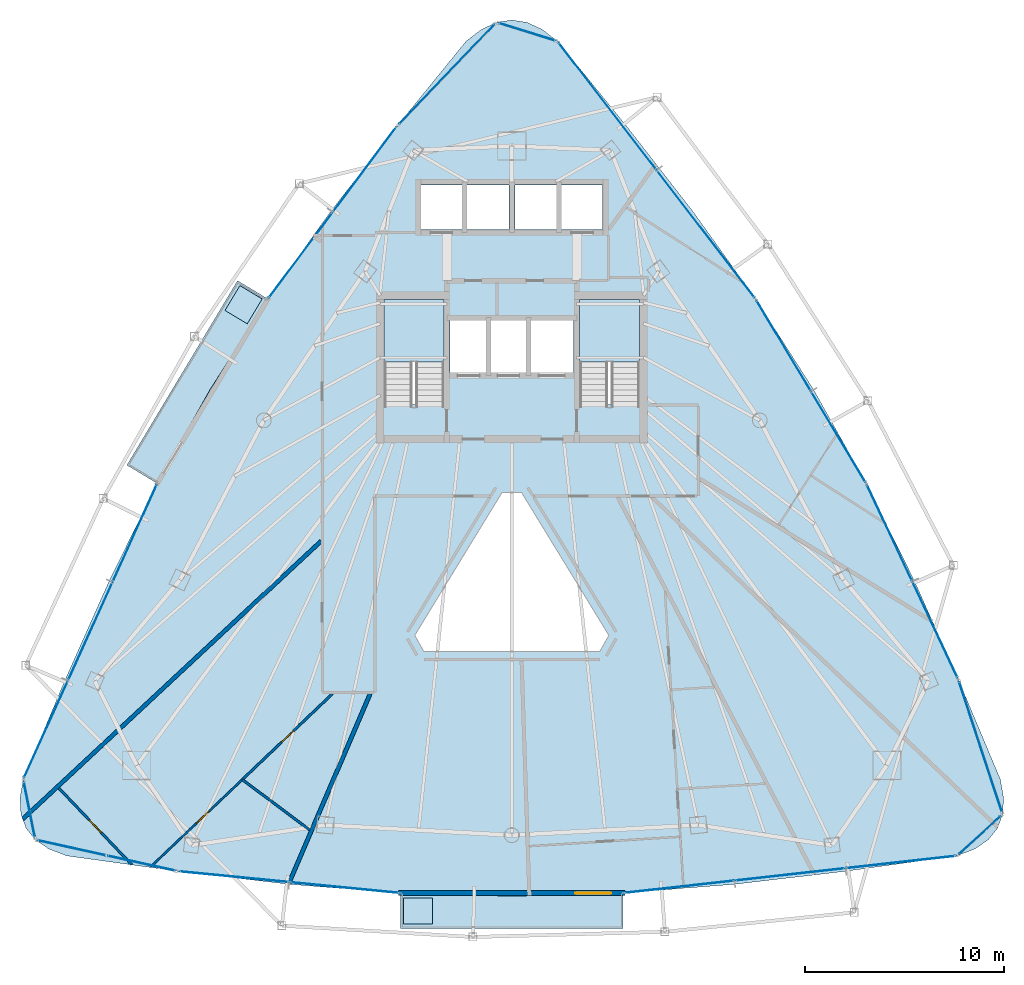
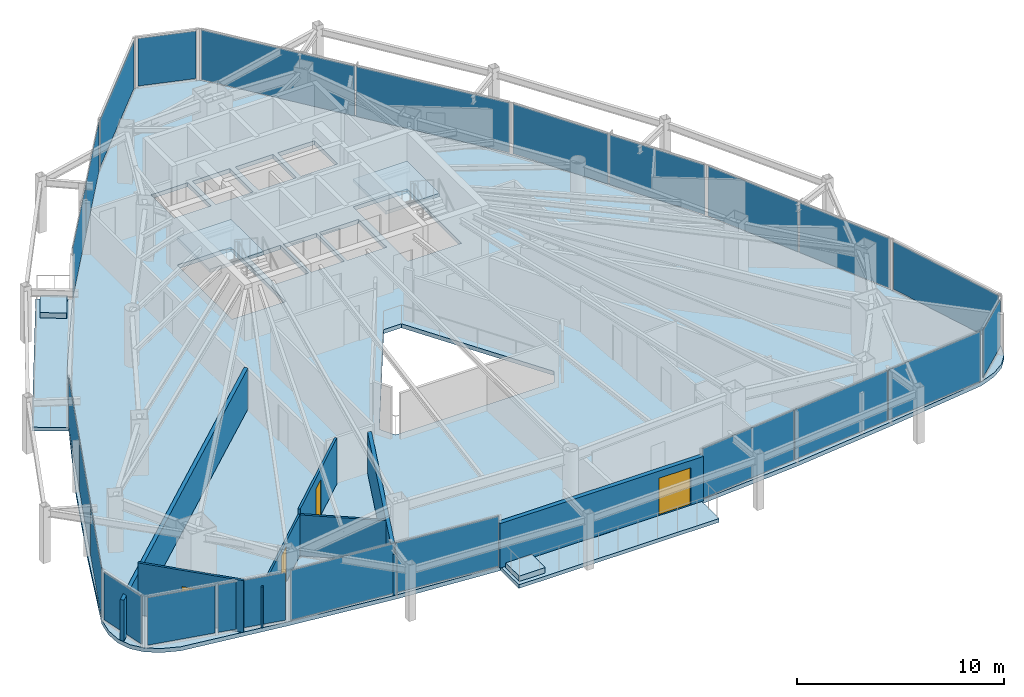
# One storey, part 23 of 29: 23 plates, 7 slabs, 7 walls, 4 doors, 4 openings, 15 elements without a shape of their own.
"""IFC4 building model written with IfcOpenShell, lengths in metres."""

from ifc_helpers import new_model, si_unit, direction, frame, frame_2d, origin, origin_2d, place, context, subcontext, project, spatial, polyline, rectangle, outline, extrude, material, layer, layer_set, type_object, element, fill, aggregate, save


model = new_model("IFC4")

# Units and contexts
model_context = context("Model", 3, precision=1e-05, world=origin(), true_north=direction((0.0, 1.0)))
body_context = subcontext(model_context, "Body", "Model", "MODEL_VIEW")
ifc_project = project(units=[si_unit("LENGTHUNIT", "METRE"), si_unit("AREAUNIT", "SQUARE_METRE"), si_unit("VOLUMEUNIT", "CUBIC_METRE"), si_unit("PLANEANGLEUNIT", "RADIAN"), si_unit("MASSUNIT", "GRAM", prefix="KILO")], contexts=[model_context])

# Site, building, storey
site_placement = place(None, origin())
site = spatial("IfcSite", under=ifc_project, at=site_placement, CompositionType="ELEMENT")
building_placement = place(site_placement, origin())
building = spatial("IfcBuilding", under=site, at=building_placement, Name="Orvanel Arch Residences", CompositionType="ELEMENT")
storey_placement = place(building_placement, frame((0.0, 0.0, 173.75)))
storey = spatial("IfcBuildingStorey", under=building, at=storey_placement, Name="L49", CompositionType="ELEMENT", Elevation=173.75)

# Curtain wall, plates
ifc_material_1 = material(Name="Bronze-anodised aluminium AA6063-T6", Category="aluminium")
ifc_layer_1 = layer(ifc_material_1, 0.179931640625)
ifc_layer_set_1 = layer_set([ifc_layer_1], Name="Bronze-anodised aluminium AA6063-T6")
curtain_wall_type_1 = type_object("IfcCurtainWallType", Name="CW3-MID-SYS", PredefinedType="NOTDEFINED", material=ifc_layer_set_1)
curtain_wall_1_placement = place(storey_placement, origin())
curtain_wall_1 = element("IfcCurtainWall", 1, at=curtain_wall_1_placement, inside=storey, type_object=curtain_wall_type_1, Name="L49 CW3-MID-SYS Unitised Curtain Wall", PredefinedType="NOTDEFINED")
ifc_material_2 = material(Name="Double-glazed solar-control low-E safety glass", Category="glass")
ifc_layer_2 = layer(ifc_material_2, 0.028076171875)
ifc_layer_set_2 = layer_set([ifc_layer_2], Name="Double-glazed solar-control low-E safety glass")
plate_type_1 = type_object("IfcPlateType", Name="PNL-GLZ-28", PredefinedType="CURTAIN_PANEL", material=ifc_layer_set_2)
plate_1_placement = place(storey_placement, frame((25.62255859375, 40.218017578125, 0.06005859375), z_axis=(0.0, 0.0, 1.0), x_axis=(-0.598279718492, -0.801287325771, 0.0)))
plate_1 = element("IfcPlate", 2, at=plate_1_placement, type_object=plate_type_1, Name="CW-S3 panel 1.1", PredefinedType="CURTAIN_PANEL", context=body_context, shape_type="SweptSolid", body=[
    extrude(rectangle(XDim=5.293701171875, YDim=0.028076171875, at=origin_2d()), origin(), (0.0, 0.0, 1.0), 2.93994140625),
])
plate_2_placement = place(storey_placement, frame((22.41357421875, 35.919921875, 0.06005859375), z_axis=(0.0, 0.0, 1.0), x_axis=(-0.598279718492, -0.801287325771, 0.0)))
plate_2 = element("IfcPlate", 3, at=plate_2_placement, type_object=plate_type_1, Name="CW-S3 panel 2.1", PredefinedType="CURTAIN_PANEL", context=body_context, shape_type="SweptSolid", body=[
    extrude(rectangle(XDim=5.293701171875, YDim=0.028076171875, at=origin_2d()), origin(), (0.0, 0.0, 1.0), 2.93994140625),
])
aggregate(curtain_wall_1, [plate_1, plate_2])

curtain_wall_2_placement = place(storey_placement, origin())
curtain_wall_2 = element("IfcCurtainWall", 4, at=curtain_wall_2_placement, inside=storey, type_object=curtain_wall_type_1, Name="L49 CW3-MID-SYS Unitised Curtain Wall", PredefinedType="NOTDEFINED")
plate_3_placement = place(storey_placement, frame((14.09765625, 21.9814453125, 0.06005859375), z_axis=(0.0, 0.0, 1.0), x_axis=(-0.412726386119, -0.910855054441, 0.0)))
plate_3 = element("IfcPlate", 5, at=plate_3_placement, type_object=plate_type_1, Name="CW-S3 panel 1.1", PredefinedType="CURTAIN_PANEL", context=body_context, shape_type="SweptSolid", body=[
    extrude(rectangle(XDim=5.30859375, YDim=0.028076171875, at=origin_2d()), origin(), (0.0, 0.0, 1.0), 2.93994140625),
])
plate_4_placement = place(storey_placement, frame((11.87060546875, 17.06640625, 0.06005859375), z_axis=(0.0, 0.0, 1.0), x_axis=(-0.412726386119, -0.910855054441, 0.0)))
plate_4 = element("IfcPlate", 6, at=plate_4_placement, type_object=plate_type_1, Name="CW-S3 panel 2.1", PredefinedType="CURTAIN_PANEL", context=body_context, shape_type="SweptSolid", body=[
    extrude(rectangle(XDim=5.343505859375, YDim=0.028076171875, at=origin_2d()), origin(), (0.0, 0.0, 1.0), 2.93994140625),
])
plate_5_placement = place(storey_placement, frame((9.643310546875, 12.1513671875, 0.06005859375), z_axis=(0.0, 0.0, 1.0), x_axis=(-0.412726386119, -0.910855054441, 0.0)))
plate_5 = element("IfcPlate", 7, at=plate_5_placement, type_object=plate_type_1, Name="CW-S3 panel 3.1", PredefinedType="CURTAIN_PANEL", context=body_context, shape_type="SweptSolid", body=[
    extrude(rectangle(XDim=5.30859375, YDim=0.028076171875, at=origin_2d()), origin(), (0.0, 0.0, 1.0), 2.93994140625),
])
aggregate(curtain_wall_2, [plate_3, plate_4, plate_5])

curtain_wall_3_placement = place(storey_placement, origin())
curtain_wall_3 = element("IfcCurtainWall", 8, at=curtain_wall_3_placement, inside=storey, type_object=curtain_wall_type_1, Name="L49 CW3-MID-SYS Unitised Curtain Wall", PredefinedType="NOTDEFINED")
plate_6_placement = place(storey_placement, frame((19.081787109375, 4.761962890625, 0.06005859375), z_axis=(0.0, 0.0, 1.0), x_axis=(0.995236362912, -0.097491445455, 0.0)))
plate_6 = element("IfcPlate", 9, at=plate_6_placement, type_object=plate_type_1, Name="CW-S3 panel 1.1", PredefinedType="CURTAIN_PANEL", context=body_context, shape_type="SweptSolid", body=[
    extrude(rectangle(XDim=5.480224609375, YDim=0.028076171875, at=origin_2d()), origin(), (0.0, 0.0, 1.0), 2.93994140625),
])
plate_7_placement = place(storey_placement, frame((24.605224609375, 4.220947265625, 0.06005859375), z_axis=(0.0, 0.0, 1.0), x_axis=(0.995236362912, -0.097491445455, 0.0)))
plate_7 = element("IfcPlate", 10, at=plate_7_placement, type_object=plate_type_1, Name="CW-S3 panel 2.1", PredefinedType="CURTAIN_PANEL", context=body_context, shape_type="SweptSolid", body=[
    extrude(rectangle(XDim=5.480224609375, YDim=0.028076171875, at=origin_2d()), origin(), (0.0, 0.0, 1.0), 2.93994140625),
])
aggregate(curtain_wall_3, [plate_6, plate_7])

curtain_wall_4_placement = place(storey_placement, origin())
curtain_wall_4 = element("IfcCurtainWall", 11, at=curtain_wall_4_placement, inside=storey, type_object=curtain_wall_type_1, Name="L49 CW3-MID-SYS Unitised Curtain Wall", PredefinedType="NOTDEFINED")
plate_8_placement = place(storey_placement, frame((41.39794921875, 4.25927734375, 0.06005859375), z_axis=(0.0, 0.0, 1.0), x_axis=(0.993838645003, 0.110836581045, 0.0)))
plate_8 = element("IfcPlate", 12, at=plate_8_placement, type_object=plate_type_1, Name="CW-S3 panel 1.1", PredefinedType="CURTAIN_PANEL", context=body_context, shape_type="SweptSolid", body=[
    extrude(rectangle(XDim=5.494873046875, YDim=0.028076171875, at=origin_2d()), origin(), (0.0, 0.0, 1.0), 2.93994140625),
])
plate_9_placement = place(storey_placement, frame((46.946044921875, 4.8779296875, 0.06005859375), z_axis=(0.0, 0.0, 1.0), x_axis=(0.993838645003, 0.110836581045, 0.0)))
plate_9 = element("IfcPlate", 13, at=plate_9_placement, type_object=plate_type_1, Name="CW-S3 panel 2.1", PredefinedType="CURTAIN_PANEL", context=body_context, shape_type="SweptSolid", body=[
    extrude(rectangle(XDim=5.52978515625, YDim=0.028076171875, at=origin_2d()), origin(), (0.0, 0.0, 1.0), 2.93994140625),
])
plate_10_placement = place(storey_placement, frame((52.493896484375, 5.496826171875, 0.06005859375), z_axis=(0.0, 0.0, 1.0), x_axis=(0.993838645003, 0.110836581045, 0.0)))
plate_10 = element("IfcPlate", 14, at=plate_10_placement, type_object=plate_type_1, Name="CW-S3 panel 3.1", PredefinedType="CURTAIN_PANEL", context=body_context, shape_type="SweptSolid", body=[
    extrude(rectangle(XDim=5.494873046875, YDim=0.028076171875, at=origin_2d()), origin(), (0.0, 0.0, 1.0), 2.93994140625),
])
aggregate(curtain_wall_4, [plate_8, plate_9, plate_10])

curtain_wall_5_placement = place(storey_placement, origin())
curtain_wall_5 = element("IfcCurtainWall", 15, at=curtain_wall_5_placement, inside=storey, type_object=curtain_wall_type_1, Name="L49 CW3-MID-SYS Unitised Curtain Wall", PredefinedType="NOTDEFINED")
plate_11_placement = place(storey_placement, frame((54.21484375, 17.14990234375, 0.06005859375), z_axis=(0.0, 0.0, 1.0), x_axis=(-0.425221547533, 0.905089296983, 0.0)))
plate_11 = element("IfcPlate", 16, at=plate_11_placement, type_object=plate_type_1, Name="CW-S3 panel 1.1", PredefinedType="CURTAIN_PANEL", context=body_context, shape_type="SweptSolid", body=[
    extrude(rectangle(XDim=5.29345703125, YDim=0.028076171875, at=origin_2d()), origin(), (0.0, 0.0, 1.0), 2.93994140625),
])
plate_12_placement = place(storey_placement, frame((51.93408203125, 22.004150390625, 0.06005859375), z_axis=(0.0, 0.0, 1.0), x_axis=(-0.425221547533, 0.905089296983, 0.0)))
plate_12 = element("IfcPlate", 17, at=plate_12_placement, type_object=plate_type_1, Name="CW-S3 panel 2.1", PredefinedType="CURTAIN_PANEL", context=body_context, shape_type="SweptSolid", body=[
    extrude(rectangle(XDim=5.29345703125, YDim=0.028076171875, at=origin_2d()), origin(), (0.0, 0.0, 1.0), 2.93994140625),
])
aggregate(curtain_wall_5, [plate_11, plate_12])

curtain_wall_6_placement = place(storey_placement, origin())
curtain_wall_6 = element("IfcCurtainWall", 18, at=curtain_wall_6_placement, inside=storey, type_object=curtain_wall_type_1, Name="L49 CW3-MID-SYS Unitised Curtain Wall", PredefinedType="NOTDEFINED")
plate_13_placement = place(storey_placement, frame((49.369384765625, 26.81591796875, 0.06005859375), z_axis=(0.0, 0.0, 1.0), x_axis=(-0.514413615102, 0.857542204558, 0.0)))
plate_13 = element("IfcPlate", 19, at=plate_13_placement, type_object=plate_type_1, Name="CW-S3 panel 1.1", PredefinedType="CURTAIN_PANEL", context=body_context, shape_type="SweptSolid", body=[
    extrude(rectangle(XDim=5.26611328125, YDim=0.028076171875, at=origin_2d()), origin(), (0.0, 0.0, 1.0), 2.93994140625),
])
plate_14_placement = place(storey_placement, frame((46.62451171875, 31.39208984375, 0.06005859375), z_axis=(0.0, 0.0, 1.0), x_axis=(-0.514413615102, 0.857542204558, 0.0)))
plate_14 = element("IfcPlate", 20, at=plate_14_placement, type_object=plate_type_1, Name="CW-S3 panel 2.1", PredefinedType="CURTAIN_PANEL", context=body_context, shape_type="SweptSolid", body=[
    extrude(rectangle(XDim=5.26611328125, YDim=0.028076171875, at=origin_2d()), origin(), (0.0, 0.0, 1.0), 2.93994140625),
])
aggregate(curtain_wall_6, [plate_13, plate_14])

curtain_wall_7_placement = place(storey_placement, origin())
curtain_wall_7 = element("IfcCurtainWall", 21, at=curtain_wall_7_placement, inside=storey, type_object=curtain_wall_type_1, Name="L49 CW3-MID-SYS Unitised Curtain Wall", PredefinedType="NOTDEFINED")
plate_15_placement = place(storey_placement, frame((42.727294921875, 36.976318359375, 0.06005859375), z_axis=(0.0, 0.0, 1.0), x_axis=(-0.60931790608, 0.792926030176, 0.0)))
plate_15 = element("IfcPlate", 22, at=plate_15_placement, type_object=plate_type_1, Name="CW-S3 panel 1.1", PredefinedType="CURTAIN_PANEL", context=body_context, shape_type="SweptSolid", body=[
    extrude(rectangle(XDim=8.015625, YDim=0.028076171875, at=origin_2d()), origin(), (0.0, 0.0, 1.0), 2.93994140625),
])
plate_16_placement = place(storey_placement, frame((37.80078125, 43.3876953125, 0.06005859375), z_axis=(0.0, 0.0, 1.0), x_axis=(-0.60931790608, 0.792926030176, 0.0)))
plate_16 = element("IfcPlate", 23, at=plate_16_placement, type_object=plate_type_1, Name="CW-S3 panel 2.1", PredefinedType="CURTAIN_PANEL", context=body_context, shape_type="SweptSolid", body=[
    extrude(rectangle(XDim=8.015625, YDim=0.028076171875, at=origin_2d()), origin(), (0.0, 0.0, 1.0), 2.93994140625),
])
aggregate(curtain_wall_7, [plate_15, plate_16])

# Curtain wall, plate
ifc_layer_3 = layer(ifc_material_1, 0.18994140625)
ifc_layer_set_3 = layer_set([ifc_layer_3], Name="Bronze-anodised aluminium AA6063-T6")
curtain_wall_type_2 = type_object("IfcCurtainWallType", Name="CW5-CRN-SYS", PredefinedType="NOTDEFINED", material=ifc_layer_set_3)
curtain_wall_8_placement = place(storey_placement, origin())
curtain_wall_8 = element("IfcCurtainWall", 24, at=curtain_wall_8_placement, inside=storey, type_object=curtain_wall_type_2, Name="L49 CW5-CRN-SYS Unitised Curtain Wall", PredefinedType="NOTDEFINED")
ifc_layer_4 = layer(ifc_material_2, 0.031982421875)
ifc_layer_set_4 = layer_set([ifc_layer_4], Name="Double-glazed solar-control low-E safety glass")
plate_type_2 = type_object("IfcPlateType", Name="PNL-GLZ-32", PredefinedType="CURTAIN_PANEL", material=ifc_layer_set_4)
plate_17_placement = place(storey_placement, frame((33.76806640625, 47.114990234375, 0.1298828125), z_axis=(0.0, 0.0, 1.0), x_axis=(-0.954848840778, 0.29709205857, 0.0)))
plate_17 = element("IfcPlate", 25, at=plate_17_placement, type_object=plate_type_2, Name="CW-S5 panel 1.1", PredefinedType="CURTAIN_PANEL", context=body_context, shape_type="SweptSolid", body=[
    extrude(rectangle(XDim=2.87744140625, YDim=0.031982421875, at=origin_2d()), origin(), (0.0, 0.0, 1.0), 2.800048828125),
])
aggregate(curtain_wall_8, [plate_17])

curtain_wall_9_placement = place(storey_placement, origin())
curtain_wall_9 = element("IfcCurtainWall", 26, at=curtain_wall_9_placement, inside=storey, type_object=curtain_wall_type_2, Name="L49 CW5-CRN-SYS Unitised Curtain Wall", PredefinedType="NOTDEFINED")
plate_18_placement = place(storey_placement, frame((29.74609375, 45.001953125, 0.1298828125), z_axis=(0.0, 0.0, 1.0), x_axis=(-0.692251972055, -0.721655878647, 0.0)))
plate_18 = element("IfcPlate", 27, at=plate_18_placement, type_object=plate_type_2, Name="CW-S5 panel 1.1", PredefinedType="CURTAIN_PANEL", context=body_context, shape_type="SweptSolid", body=[
    extrude(rectangle(XDim=6.841796875, YDim=0.031982421875, at=origin_2d()), origin(), (0.0, 0.0, 1.0), 2.800048828125),
])
aggregate(curtain_wall_9, [plate_18])

curtain_wall_10_placement = place(storey_placement, origin())
curtain_wall_10 = element("IfcCurtainWall", 28, at=curtain_wall_10_placement, inside=storey, type_object=curtain_wall_type_2, Name="L49 CW5-CRN-SYS Unitised Curtain Wall", PredefinedType="NOTDEFINED")
plate_19_placement = place(storey_placement, frame((8.81396484375, 8.132568359375, 0.1298828125), z_axis=(0.0, 0.0, 1.0), x_axis=(0.19555012898, -0.980693707054, 0.0)))
plate_19 = element("IfcPlate", 29, at=plate_19_placement, type_object=plate_type_2, Name="CW-S5 panel 1.1", PredefinedType="CURTAIN_PANEL", context=body_context, shape_type="SweptSolid", body=[
    extrude(rectangle(XDim=2.758056640625, YDim=0.031982421875, at=origin_2d()), origin(), (0.0, 0.0, 1.0), 2.800048828125),
])
aggregate(curtain_wall_10, [plate_19])

# Curtain wall, plates
curtain_wall_11_placement = place(storey_placement, origin())
curtain_wall_11 = element("IfcCurtainWall", 30, at=curtain_wall_11_placement, inside=storey, type_object=curtain_wall_type_2, Name="L49 CW5-CRN-SYS Unitised Curtain Wall", PredefinedType="NOTDEFINED")
plate_20_placement = place(storey_placement, frame((10.95068359375, 6.209228515625, 0.1298828125), z_axis=(0.0, 0.0, 1.0), x_axis=(0.97655096553, -0.2152863482, 0.0)))
plate_20 = element("IfcPlate", 31, at=plate_20_placement, type_object=plate_type_2, Name="CW-S5 panel 1.1", PredefinedType="CURTAIN_PANEL", context=body_context, shape_type="SweptSolid", body=[
    extrude(rectangle(XDim=3.414306640625, YDim=0.031982421875, at=origin_2d()), origin(), (0.0, 0.0, 1.0), 2.800048828125),
])
plate_21_placement = place(storey_placement, frame((14.431396484375, 5.44189453125, 0.1298828125), z_axis=(0.0, 0.0, 1.0), x_axis=(0.97655096553, -0.2152863482, 0.0)))
plate_21 = element("IfcPlate", 32, at=plate_21_placement, type_object=plate_type_2, Name="CW-S5 panel 2.1", PredefinedType="CURTAIN_PANEL", context=body_context, shape_type="SweptSolid", body=[
    extrude(rectangle(XDim=3.414306640625, YDim=0.031982421875, at=origin_2d()), origin(), (0.0, 0.0, 1.0), 2.800048828125),
])
aggregate(curtain_wall_11, [plate_20, plate_21])

# Curtain wall, plate
curtain_wall_12_placement = place(storey_placement, origin())
curtain_wall_12 = element("IfcCurtainWall", 33, at=curtain_wall_12_placement, inside=storey, type_object=curtain_wall_type_2, Name="L49 CW5-CRN-SYS Unitised Curtain Wall", PredefinedType="NOTDEFINED")
plate_22_placement = place(storey_placement, frame((56.4609375, 6.8525390625, 0.1298828125), z_axis=(0.0, 0.0, 1.0), x_axis=(0.740132345266, 0.672461234192, 0.0)))
plate_22 = element("IfcPlate", 34, at=plate_22_placement, type_object=plate_type_2, Name="CW-S5 panel 1.1", PredefinedType="CURTAIN_PANEL", context=body_context, shape_type="SweptSolid", body=[
    extrude(rectangle(XDim=2.759033203125, YDim=0.031982421875, at=origin_2d()), origin(), (0.0, 0.0, 1.0), 2.800048828125),
])
aggregate(curtain_wall_12, [plate_22])

curtain_wall_13_placement = place(storey_placement, origin())
curtain_wall_13 = element("IfcCurtainWall", 35, at=curtain_wall_13_placement, inside=storey, type_object=curtain_wall_type_2, Name="L49 CW5-CRN-SYS Unitised Curtain Wall", PredefinedType="NOTDEFINED")
plate_23_placement = place(storey_placement, frame((56.493408203125, 11.283447265625, 0.1298828125), z_axis=(0.0, 0.0, 1.0), x_axis=(-0.312420373744, 0.949943951015, 0.0)))
plate_23 = element("IfcPlate", 36, at=plate_23_placement, type_object=plate_type_2, Name="CW-S5 panel 1.1", PredefinedType="CURTAIN_PANEL", context=body_context, shape_type="SweptSolid", body=[
    extrude(rectangle(XDim=6.796142578125, YDim=0.031982421875, at=origin_2d()), origin(), (0.0, 0.0, 1.0), 2.800048828125),
])
aggregate(curtain_wall_13, [plate_23])

# Slabs
ifc_material_3 = material(Name="Concrete N40 (40 MPa)", Category="concrete")
ifc_layer_5 = layer(ifc_material_3, 0.215087890625)
ifc_layer_set_5 = layer_set([ifc_layer_5], Name="Concrete N40 (40 MPa)")
slab_type_1 = type_object("IfcSlabType", Name="SLB-BAL-215", PredefinedType="FLOOR", material=ifc_layer_set_5)
slab_1_placement = place(storey_placement, frame((0.0, 0.0, -0.215087890625)))
element("IfcSlab", 37, at=slab_1_placement, inside=storey, type_object=slab_type_1, Name="L49 Cantilevered Balcony Slab Face 1", PredefinedType="FLOOR", context=body_context, shape_type="SweptSolid", body=[
    extrude(outline(polyline([(19.25, 34.64306640625), (13.7041015625, 25.39697265625), (15.22998046875, 24.48095703125), (17.87109375, 29.18310546875), (20.77587890625, 33.72705078125), (19.25, 34.64306640625)])), origin(), (0.0, 0.0, 1.0), 0.215087890625),
])
slab_2_placement = place(storey_placement, frame((0.0, 0.0, -0.215087890625)))
element("IfcSlab", 38, at=slab_2_placement, inside=storey, type_object=slab_type_1, Name="L49 Cantilevered Balcony Slab Face 2", PredefinedType="FLOOR", context=body_context, shape_type="SweptSolid", body=[
    extrude(outline(polyline([(27.422119140625, 2.1650390625), (38.577880859375, 2.1650390625), (38.577880859375, 3.945068359375), (33.0, 3.791015625), (27.422119140625, 3.945068359375), (27.422119140625, 2.1650390625)])), origin(), (0.0, 0.0, 1.0), 0.215087890625),
])

# Stair, slab
ifc_material_4 = material(Name="Precast concrete N50 (50 MPa)", Category="concrete")
stair_type = type_object("IfcStairType", Name="STR-DOG-184", PredefinedType="USERDEFINED", material=ifc_material_4)
stair_1_placement = place(storey_placement, origin())
stair_1 = element("IfcStair", 39, at=stair_1_placement, inside=storey, type_object=stair_type, Name="L49 Fire-Isolated Core Exit Stair 1", ObjectType="TWO_RETURN_STAIR", PredefinedType="USERDEFINED")
ifc_layer_6 = layer(ifc_material_3, 0.199951171875)
ifc_layer_set_6 = layer_set([ifc_layer_6], Name="Concrete N40 (40 MPa)")
slab_type_2 = type_object("IfcSlabType", Name="SLB-LND-200", PredefinedType="LANDING", material=ifc_layer_set_6)
slab_3_placement = place(storey_placement, frame((0.0, 0.0, 1.449951171875)))
slab_3 = element("IfcSlab", 40, at=slab_3_placement, type_object=slab_type_2, Name="ST-1 landing 1", PredefinedType="LANDING", context=body_context, shape_type="SweptSolid", body=[
    extrude(outline(polyline([(29.60009765625, 30.56005859375), (29.60009765625, 33.699951171875), (26.60009765625, 33.699951171875), (26.60009765625, 30.56005859375), (29.60009765625, 30.56005859375)])), origin(), (0.0, 0.0, 1.0), 0.199951171875),
])
aggregate(stair_1, [slab_3])

stair_2_placement = place(storey_placement, origin())
stair_2 = element("IfcStair", 41, at=stair_2_placement, inside=storey, type_object=stair_type, Name="L49 Fire-Isolated Core Exit Stair 2", ObjectType="TWO_RETURN_STAIR", PredefinedType="USERDEFINED")
slab_4_placement = place(storey_placement, frame((0.0, 0.0, 1.449951171875)))
slab_4 = element("IfcSlab", 42, at=slab_4_placement, type_object=slab_type_2, Name="ST-2 landing 1", PredefinedType="LANDING", context=body_context, shape_type="SweptSolid", body=[
    extrude(outline(polyline([(39.39990234375, 30.56005859375), (39.39990234375, 33.699951171875), (36.39990234375, 33.699951171875), (36.39990234375, 30.56005859375), (39.39990234375, 30.56005859375)])), origin(), (0.0, 0.0, 1.0), 0.199951171875),
])
aggregate(stair_2, [slab_4])

# Slabs
ifc_material_5 = material(Name="Structural architectural precast concrete N40 (40 MPa) planter", Category="concrete")
ifc_layer_7 = layer(ifc_material_5, 0.320068359375)
ifc_layer_set_7 = layer_set([ifc_layer_7], Name="Structural architectural precast concrete N40 (40 MPa) planter")
slab_type_3 = type_object("IfcSlabType", Name="SLB-PLN-320", PredefinedType="USERDEFINED", material=ifc_layer_set_7)
slab_5_placement = place(storey_placement, origin())
element("IfcSlab", 43, at=slab_5_placement, inside=storey, type_object=slab_type_3, Name="L49 Balcony TREE PLANTER Face 1", ObjectType="PLANTER", PredefinedType="USERDEFINED", context=body_context, shape_type="SweptSolid", body=[
    extrude(outline(polyline([(19.3701171875, 34.39599609375), (18.6240234375, 33.153076171875), (19.739013671875, 32.48388671875), (20.485107421875, 33.72705078125), (19.3701171875, 34.39599609375)])), origin(), (0.0, 0.0, 1.0), 0.320068359375),
])
slab_6_placement = place(storey_placement, origin())
element("IfcSlab", 44, at=slab_6_placement, inside=storey, type_object=slab_type_3, Name="L49 Balcony TREE PLANTER Face 2", ObjectType="PLANTER", PredefinedType="USERDEFINED", context=body_context, shape_type="SweptSolid", body=[
    extrude(outline(polyline([(27.572021484375, 2.39501953125), (29.02197265625, 2.39501953125), (29.02197265625, 3.695068359375), (27.572021484375, 3.695068359375), (27.572021484375, 2.39501953125)])), origin(), (0.0, 0.0, 1.0), 0.320068359375),
])
ifc_layer_8 = layer(ifc_material_3, 0.239990234375)
ifc_layer_set_8 = layer_set([ifc_layer_8], Name="Concrete N40 (40 MPa)")
slab_type_4 = type_object("IfcSlabType", Name="SLB-TYP-240", PredefinedType="FLOOR", material=ifc_layer_set_8)
slab_7_placement = place(storey_placement, frame((0.0, 0.0, -0.239990234375)))
element("IfcSlab", 45, at=slab_7_placement, inside=storey, type_object=slab_type_4, Name="L49 Tower Floor Slab", PredefinedType="FLOOR", context=body_context, shape_type="SweptSolid", body=[
    extrude(outline(polyline([(35.303955078125, 46.636962890625), (34.535888671875, 47.23388671875), (33.76806640625, 47.593017578125), (33.0, 47.7119140625), (32.23193359375, 47.593017578125), (31.464111328125, 47.23388671875), (30.696044921875, 46.636962890625), (27.260009765625, 42.410888671875), (23.925048828125, 38.125), (20.77587890625, 33.72705078125), (17.87109375, 29.18310546875), (15.22998046875, 24.48095703125), (12.83203125, 19.633056640625), (10.62109375, 14.673095703125), (8.510986328125, 9.652099609375), (8.345947265625, 8.712890625), (8.39208984375, 7.89404296875), (8.64892578125, 7.194091796875), (9.116943359375, 6.613037109375), (9.7958984375, 6.152099609375), (10.68603515625, 5.81103515625), (16.264892578125, 5.0380859375), (21.843017578125, 4.383056640625), (27.422119140625, 3.945068359375), (33.0, 3.791015625), (38.577880859375, 3.945068359375), (44.156982421875, 4.383056640625), (49.735107421875, 5.0380859375), (55.31396484375, 5.81103515625), (56.2041015625, 6.152099609375), (56.883056640625, 6.613037109375), (57.35107421875, 7.194091796875), (57.60791015625, 7.89404296875), (57.654052734375, 8.712890625), (57.489013671875, 9.652099609375), (55.37890625, 14.673095703125), (53.16796875, 19.633056640625), (50.77001953125, 24.48095703125), (48.12890625, 29.18310546875), (45.22412109375, 33.72705078125), (42.074951171875, 38.125), (38.739990234375, 42.410888671875), (35.303955078125, 46.636962890625)]), holes=[polyline([(26.60009765625, 28.429931640625), (26.60009765625, 33.699951171875), (29.60009765625, 33.699951171875), (29.60009765625, 28.429931640625), (26.60009765625, 28.429931640625)]), polyline([(36.39990234375, 28.429931640625), (36.39990234375, 33.699951171875), (39.39990234375, 33.699951171875), (39.39990234375, 28.429931640625), (36.39990234375, 28.429931640625)]), polyline([(29.89990234375, 32.64990234375), (31.75, 32.64990234375), (31.75, 29.949951171875), (29.89990234375, 29.949951171875), (29.89990234375, 32.64990234375)]), polyline([(31.89990234375, 32.64990234375), (33.75, 32.64990234375), (33.75, 29.949951171875), (31.89990234375, 29.949951171875), (31.89990234375, 32.64990234375)]), polyline([(33.89990234375, 32.64990234375), (36.10009765625, 32.64990234375), (36.10009765625, 29.949951171875), (33.89990234375, 29.949951171875), (33.89990234375, 32.64990234375)]), polyline([(28.449951171875, 39.449951171875), (30.5, 39.449951171875), (30.5, 37.199951171875), (28.449951171875, 37.199951171875), (28.449951171875, 39.449951171875)]), polyline([(35.5, 39.449951171875), (37.550048828125, 39.449951171875), (37.550048828125, 37.199951171875), (35.5, 37.199951171875), (35.5, 39.449951171875)]), polyline([(30.75, 39.449951171875), (32.85009765625, 39.449951171875), (32.85009765625, 37.199951171875), (30.75, 37.199951171875), (30.75, 39.449951171875)]), polyline([(33.14990234375, 39.449951171875), (35.25, 39.449951171875), (35.25, 37.199951171875), (33.14990234375, 37.199951171875), (33.14990234375, 39.449951171875)]), polyline([(37.865966796875, 16.865966796875), (37.4130859375, 16.05908203125), (28.5869140625, 16.05908203125), (28.134033203125, 16.865966796875), (32.507080078125, 24.01904296875), (33.492919921875, 24.01904296875), (37.865966796875, 16.865966796875)])]), origin(), (0.0, 0.0, 1.0), 0.239990234375),
])

# Wall, opening, door
ifc_layer_9 = layer(ifc_material_4, 0.239990234375)
ifc_layer_set_9 = layer_set([ifc_layer_9], Name="Precast concrete N50 (50 MPa)")
wall_type_1 = type_object("IfcWallType", Name="EW-BAL-240", PredefinedType="SOLIDWALL", material=ifc_layer_set_9)
wall_1_placement = place(storey_placement, frame((27.323974609375, 3.945068359375, 0.0), z_axis=(0.0, 0.0, 1.0), x_axis=(1.0, 0.0, 0.0)))
wall_1 = element("IfcWall", 46, at=wall_1_placement, inside=storey, type_object=wall_type_1, Name="L49 Balcony Threshold Wall Face 2", PredefinedType="SOLIDWALL", context=body_context, shape_type="SweptSolid", body=[
    extrude(rectangle(XDim=11.35205078125, YDim=0.239990234375, at=frame_2d((5.676025390625, 0.0))), origin(), (0.0, 0.0, 1.0), 2.6240234375),
])
opening_1_placement = place(wall_1_placement, frame((8.85498046875, 0.0, 0.0)))
opening_1 = element("IfcOpeningElement", 47, at=opening_1_placement, cuts=wall_1, Name="Opening DB-180", PredefinedType="OPENING", context=body_context, shape_type="SweptSolid", body=[
    extrude(rectangle(XDim=1.800048828125, YDim=2.199951171875, at=frame_2d((0.89990234375, 1.10009765625))), frame((0.0, 0.1298828125, 0.0), z_axis=(0.0, -1.0, 0.0), x_axis=(1.0, 0.0, 0.0)), (0.0, 0.0, 1.0), 0.260009765625),
])
door_type_1 = type_object("IfcDoorType", Name="DR-BAL-1800", OperationType="NOTDEFINED", PredefinedType="DOOR", material=ifc_material_1)
door_1_placement = place(opening_1_placement, origin())
door_1 = element("IfcDoor", 48, at=door_1_placement, inside=storey, type_object=door_type_1, Name="DR-L49-BAL-F2 L49 Planted Balcony Access Door Face 2", OperationType="SINGLE_SWING_RIGHT", OverallHeight=2.199951171875, OverallWidth=1.800048828125, PredefinedType="DOOR", context=body_context, shape_type="SweptSolid", body=[
    extrude(rectangle(XDim=1.800048828125, YDim=2.199951171875, at=frame_2d((0.89990234375, 1.10009765625))), frame((0.0, 0.02490234375, 0.0), z_axis=(0.0, -1.0, 0.0), x_axis=(1.0, 0.0, 0.0)), (0.0, 0.0, 1.0), 0.050048828125),
])
fill(opening_1, door_1)

# Walls
ifc_material_6 = material(Name="Fire-rated plasterboard lined steel stud partition", Category="steel")
ifc_layer_10 = layer(ifc_material_6, 0.199951171875)
ifc_layer_set_10 = layer_set([ifc_layer_10], Name="Fire-rated plasterboard lined steel stud partition")
wall_type_2 = type_object("IfcWallType", Name="W-DEM-200", PredefinedType="PARTITIONING", material=ifc_layer_set_10)
wall_2_placement = place(storey_placement, frame((23.43994140625, 21.590087890625, 0.0), z_axis=(0.0, 0.0, 1.0), x_axis=(-0.731574776166, -0.681761209572, 0.0)))
element("IfcWall", 49, at=wall_2_placement, inside=storey, type_object=wall_type_2, Name="L49 Inter-Tenancy Acoustic Demising Wall", PredefinedType="PARTITIONING", context=body_context, shape_type="SweptSolid", body=[
    extrude(rectangle(XDim=20.4326171875, YDim=0.199951171875, at=frame_2d((10.21630859375, 0.0))), origin(), (0.0, 0.0, 1.0), 2.4130859375),
])
wall_3_placement = place(storey_placement, frame((25.90087890625, 13.93994140625, 0.0), z_axis=(0.0, 0.0, 1.0), x_axis=(-0.394055564824, -0.919086618242, 0.0)))
element("IfcWall", 50, at=wall_3_placement, inside=storey, type_object=wall_type_2, Name="L49 Inter-Tenancy Acoustic Demising Wall", PredefinedType="PARTITIONING", context=body_context, shape_type="SweptSolid", body=[
    extrude(rectangle(XDim=10.37890625, YDim=0.199951171875, at=frame_2d((5.189453125, 0.0))), origin(), (0.0, 0.0, 1.0), 2.4130859375),
])

# Wall, opening, door
ifc_material_7 = material(Name="Acoustic plasterboard lined twin-stud partition", Category="gypsum")
ifc_layer_11 = layer(ifc_material_7, 0.10009765625)
ifc_layer_set_11 = layer_set([ifc_layer_11], Name="Acoustic plasterboard lined twin-stud partition")
wall_type_3 = type_object("IfcWallType", Name="W-INT-100", PredefinedType="PARTITIONING", material=ifc_layer_set_11)
wall_4_placement = place(storey_placement, frame((19.489990234375, 9.634033203125, 0.0), z_axis=(0.0, 0.0, 1.0), x_axis=(-0.724311078703, -0.68947332165, 0.0)))
wall_4 = element("IfcWall", 51, at=wall_4_placement, inside=storey, type_object=wall_type_3, Name="L49 Flat C Internal Partition", PredefinedType="PARTITIONING", context=body_context, shape_type="SweptSolid", body=[
    extrude(rectangle(XDim=6.3701171875, YDim=0.10009765625, at=frame_2d((3.18505859375, 0.0))), origin(), (0.0, 0.0, 1.0), 2.4130859375),
])
opening_2_placement = place(wall_4_placement, frame((2.300048828125, 0.0, 0.0)))
opening_2 = element("IfcOpeningElement", 52, at=opening_2_placement, cuts=wall_4, Name="Opening DI-088", PredefinedType="OPENING", context=body_context, shape_type="SweptSolid", body=[
    extrude(rectangle(XDim=0.8798828125, YDim=2.10009765625, at=frame_2d((0.43994140625, 1.050048828125))), frame((0.0, 0.06005859375, 0.0), z_axis=(0.0, -1.0, 0.0), x_axis=(1.0, 0.0, 0.0)), (0.0, 0.0, 1.0), 0.1201171875),
])
ifc_material_8 = material(Name="Solid-core European oak veneer fire door leaf", Category="wood")
door_type_2 = type_object("IfcDoorType", Name="DR-INT-880", OperationType="NOTDEFINED", PredefinedType="DOOR", material=ifc_material_8)
door_2_placement = place(opening_2_placement, origin())
door_2 = element("IfcDoor", 53, at=door_2_placement, inside=storey, type_object=door_type_2, Name="DR-L49-C-BED1 L49 Flat C Bedroom 1 Door", OperationType="SINGLE_SWING_LEFT", OverallHeight=2.10009765625, OverallWidth=0.8798828125, PredefinedType="DOOR", context=body_context, shape_type="SweptSolid", body=[
    extrude(rectangle(XDim=0.8798828125, YDim=2.10009765625, at=frame_2d((0.43994140625, 1.050048828125))), frame((0.0, 0.02490234375, 0.0), z_axis=(0.0, -1.0, 0.0), x_axis=(1.0, 0.0, 0.0)), (0.0, 0.0, 1.0), 0.050048828125),
])
fill(opening_2, door_2)

ifc_layer_12 = layer(ifc_material_7, 0.1201171875)
ifc_layer_set_12 = layer_set([ifc_layer_12], Name="Acoustic plasterboard lined twin-stud partition")
wall_type_4 = type_object("IfcWallType", Name="W-WET-120", PredefinedType="PARTITIONING", material=ifc_layer_set_12)
wall_5_placement = place(storey_placement, frame((24.013916015625, 13.93994140625, 0.0), z_axis=(0.0, 0.0, 1.0), x_axis=(-0.724345202964, -0.68943747138, 0.0)))
wall_5 = element("IfcWall", 54, at=wall_5_placement, inside=storey, type_object=wall_type_4, Name="L49 Flat C Bathroom Partition", PredefinedType="PARTITIONING", context=body_context, shape_type="SweptSolid", body=[
    extrude(rectangle(XDim=6.24560546875, YDim=0.1201171875, at=frame_2d((3.122802734375, 0.0))), origin(), (0.0, 0.0, 1.0), 2.720947265625),
])
opening_3_placement = place(wall_5_placement, frame((2.712890625, 0.0, 0.0)))
opening_3 = element("IfcOpeningElement", 55, at=opening_3_placement, cuts=wall_5, Name="Opening DW-082", PredefinedType="OPENING", context=body_context, shape_type="SweptSolid", body=[
    extrude(rectangle(XDim=0.820068359375, YDim=2.10009765625, at=frame_2d((0.41015625, 1.050048828125))), frame((0.0, 0.070068359375, 0.0), z_axis=(0.0, -1.0, 0.0), x_axis=(1.0, 0.0, 0.0)), (0.0, 0.0, 1.0), 0.14013671875),
])
door_type_3 = type_object("IfcDoorType", Name="DR-WET-820", OperationType="NOTDEFINED", PredefinedType="DOOR", material=ifc_material_8)
door_3_placement = place(opening_3_placement, origin())
door_3 = element("IfcDoor", 56, at=door_3_placement, inside=storey, type_object=door_type_3, Name="DR-L49-C-BATH L49 Flat C Bathroom Door", OperationType="SINGLE_SWING_RIGHT", OverallHeight=2.10009765625, OverallWidth=0.820068359375, PredefinedType="DOOR", context=body_context, shape_type="SweptSolid", body=[
    extrude(rectangle(XDim=0.820068359375, YDim=2.10009765625, at=frame_2d((0.41015625, 1.050048828125))), frame((0.0, 0.02490234375, 0.0), z_axis=(0.0, -1.0, 0.0), x_axis=(1.0, 0.0, 0.0)), (0.0, 0.0, 1.0), 0.050048828125),
])
fill(opening_3, door_3)

wall_6_placement = place(storey_placement, frame((13.947021484375, 5.368896484375, 0.0), z_axis=(0.0, 0.0, 1.0), x_axis=(-0.689563334415, 0.724225384691, 0.0)))
wall_6 = element("IfcWall", 57, at=wall_6_placement, inside=storey, type_object=wall_type_4, Name="L49 Flat C Internal Partition", PredefinedType="PARTITIONING", context=body_context, shape_type="SweptSolid", body=[
    extrude(rectangle(XDim=5.310791015625, YDim=0.1201171875, at=frame_2d((2.6552734375, 0.0))), origin(), (0.0, 0.0, 1.0), 3.06005859375),
])
opening_4_placement = place(wall_6_placement, frame((2.215087890625, 0.0, 0.0)))
opening_4 = element("IfcOpeningElement", 58, at=opening_4_placement, cuts=wall_6, Name="Opening DI-088", PredefinedType="OPENING", context=body_context, shape_type="SweptSolid", body=[
    extrude(rectangle(XDim=0.8798828125, YDim=2.10009765625, at=frame_2d((0.43994140625, 1.050048828125))), frame((0.0, 0.070068359375, 0.0), z_axis=(0.0, -1.0, 0.0), x_axis=(1.0, 0.0, 0.0)), (0.0, 0.0, 1.0), 0.14013671875),
])
door_4_placement = place(opening_4_placement, origin())
door_4 = element("IfcDoor", 59, at=door_4_placement, inside=storey, type_object=door_type_2, Name="DR-L49-C-KIT L49 Flat C Kitchen Door", OperationType="SINGLE_SWING_LEFT", OverallHeight=2.10009765625, OverallWidth=0.8798828125, PredefinedType="DOOR", context=body_context, shape_type="SweptSolid", body=[
    extrude(rectangle(XDim=0.8798828125, YDim=2.10009765625, at=frame_2d((0.43994140625, 1.050048828125))), frame((0.0, 0.02490234375, 0.0), z_axis=(0.0, -1.0, 0.0), x_axis=(1.0, 0.0, 0.0)), (0.0, 0.0, 1.0), 0.050048828125),
])
fill(opening_4, door_4)

# Wall
wall_7_placement = place(storey_placement, frame((22.876953125, 7.10302734375, 0.0), z_axis=(0.0, 0.0, 1.0), x_axis=(-0.801045056039, 0.598604057951, 0.0)))
element("IfcWall", 60, at=wall_7_placement, inside=storey, type_object=wall_type_4, Name="L49 Flat C Bathroom Partition", PredefinedType="PARTITIONING", context=body_context, shape_type="SweptSolid", body=[
    extrude(rectangle(XDim=4.228271484375, YDim=0.1201171875, at=frame_2d((2.1142578125, 0.0))), origin(), (0.0, 0.0, 1.0), 2.4130859375),
])

save(model, "model.ifc")
